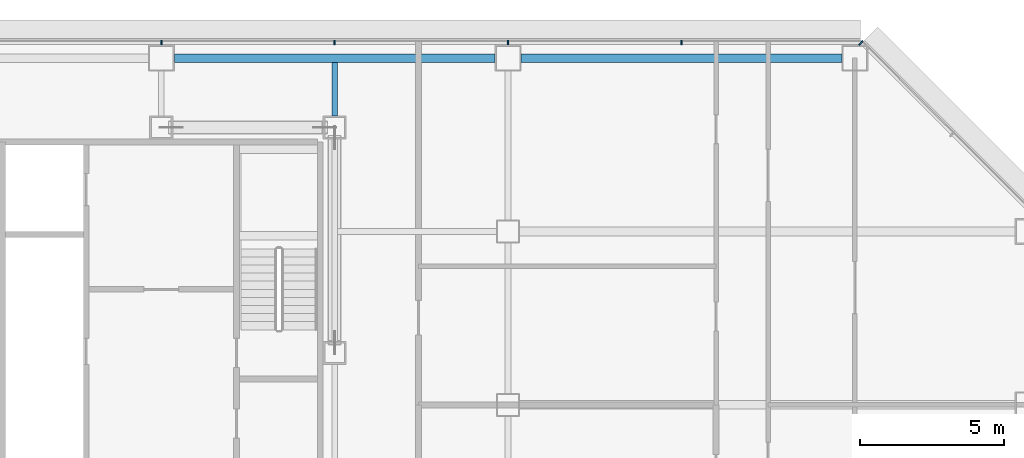
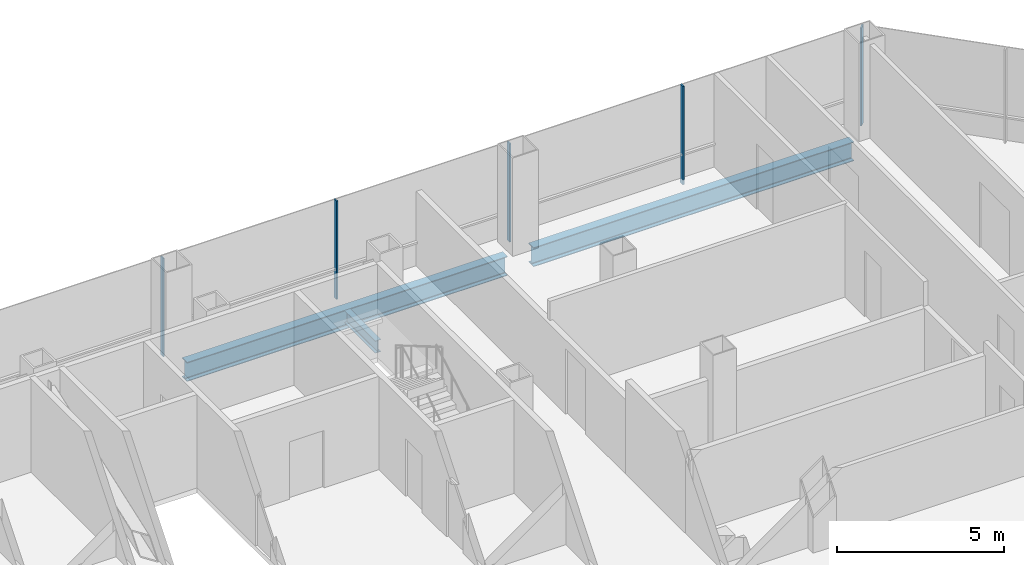
# One storey, part 15 of 27: 5 members, 3 beams, 2 elements without a shape of their own.
"""IFC4 building model written with IfcOpenShell, lengths in metres."""

import ifcopenshell
import ifcopenshell.guid

model = None  # the IFC model being written
_history = None  # IfcOwnerHistory: only IFC2X3 demands one
_inside = {}  # id of a spatial element -> (the spatial element, [elements in it])
_under = {}  # id of a project, library or spatial element -> (it, [spatial elements below it])
_declared = {}  # id of a project -> (the project, [libraries it declares])
_typed = {}  # id of a type object -> (the type object, [elements of that type])
_made_of = {}  # id of a material, layer set ... -> (it, [elements and type objects made of it])


def new_model(schema):
    """Start an empty IFC model of exactly this schema.

    Asked for "IFC4X3", IfcOpenShell would pick the latest addendum, in which some entities
    have other attributes; the version numbers below select the first issue.
    IFC2X3 requires an IfcOwnerHistory on every rooted entity: one is made here for all.
    """
    global model, _history
    if schema == "IFC4X3":
        model = ifcopenshell.file(schema_version=(4, 3, 0, 0))
    else:
        model = ifcopenshell.file(schema=schema)
    _inside.clear()
    _under.clear()
    _declared.clear()
    _typed.clear()
    _made_of.clear()
    _history = None
    if model.schema == "IFC2X3":
        org = make("IfcOrganization", Name="unknown")
        user = make(
            "IfcPersonAndOrganization",
            ThePerson=make("IfcPerson", FamilyName="unknown"),
            TheOrganization=org,
        )
        app = make(
            "IfcApplication",
            ApplicationDeveloper=org,
            Version="unknown",
            ApplicationFullName="unknown",
            ApplicationIdentifier="unknown",
        )
        _history = make(
            "IfcOwnerHistory",
            OwningUser=user,
            OwningApplication=app,
            ChangeAction="ADDED",
            CreationDate=0,
        )
    return model


def make(cls, **values):
    """One entity of the class cls with the attributes given. An attribute that is None is left unset."""
    return model.create_entity(
        cls, **{name: value for name, value in values.items() if value is not None}
    )


def rooted(cls, **values):
    """An entity with a GlobalId (a new one), such as an element, a storey or a relation."""
    return make(cls, GlobalId=ifcopenshell.guid.new(), OwnerHistory=_history, **values)


def si_unit(unit_type, name, prefix=None):
    """IfcSIUnit, for example si_unit("LENGTHUNIT", "METRE", prefix="MILLI")."""
    return make("IfcSIUnit", UnitType=unit_type, Prefix=prefix, Name=name)


def assignment(units):
    """IfcUnitAssignment: the units of a project."""
    return None if units is None else make("IfcUnitAssignment", Units=units)


def point(xyz):
    """IfcCartesianPoint."""
    return None if xyz is None else make("IfcCartesianPoint", Coordinates=xyz)


def direction(xyz):
    """IfcDirection."""
    return None if xyz is None else make("IfcDirection", DirectionRatios=xyz)


def frame(location, z_axis=None, x_axis=None):
    """IfcAxis2Placement3D, a coordinate frame: its origin and axes. An axis left out is left unset."""
    return make(
        "IfcAxis2Placement3D",
        Location=point(location),
        Axis=direction(z_axis),
        RefDirection=direction(x_axis),
    )


def frame_2d(location, x_axis=None):
    """IfcAxis2Placement2D, a coordinate frame in the plane: its origin and x axis."""
    return make(
        "IfcAxis2Placement2D", Location=point(location), RefDirection=direction(x_axis)
    )


def origin():
    """The frame at (0, 0, 0) with its axes left unset."""
    return frame((0.0, 0.0, 0.0))


def origin_2d():
    """The frame at (0, 0) in the plane with its x axis left unset."""
    return frame_2d((0.0, 0.0))


def place(relative_to, where):
    """IfcLocalPlacement: puts the frame where relative to a parent placement (None: the world)."""
    return make(
        "IfcLocalPlacement", PlacementRelTo=relative_to, RelativePlacement=where
    )


def context(
    kind, dimensions, precision=None, world=None, true_north=None, identifier=None
):
    """IfcGeometricRepresentationContext, for example the 3D "Model" context."""
    return make(
        "IfcGeometricRepresentationContext",
        ContextIdentifier=identifier,
        ContextType=kind,
        CoordinateSpaceDimension=dimensions,
        Precision=precision,
        WorldCoordinateSystem=world,
        TrueNorth=true_north,
    )


def subcontext(parent, identifier, kind, view, scale=None):
    """IfcGeometricRepresentationSubContext, for example "Body" below "Model"."""
    return make(
        "IfcGeometricRepresentationSubContext",
        ContextIdentifier=identifier,
        ContextType=kind,
        ParentContext=parent,
        TargetScale=scale,
        TargetView=view,
    )


def project(units=None, contexts=None):
    """IfcProject with its units and contexts."""
    return rooted(
        "IfcProject",
        Name="project",
        RepresentationContexts=contexts,
        UnitsInContext=assignment(units),
    )


def spatial(cls, under=None, at=None, **own):
    """A site, building, storey or space (cls), placed at a placement, below another one or the project."""
    s = rooted(cls, ObjectPlacement=at, **own)
    if under is not None:
        _under.setdefault(under.id(), (under, []))[1].append(s)
    return s


def profile(cls, at=None, kind="AREA", **sizes):
    """A parametric profile (cls). Its sizes go by their IFC names, for example OverallWidth=200.0."""
    return make(cls, ProfileType=kind, Position=at, **sizes)


def rectangle(**sizes):
    """IfcRectangleProfileDef."""
    return profile("IfcRectangleProfileDef", **sizes)


def i_section(**sizes):
    """IfcIShapeProfileDef."""
    return profile("IfcIShapeProfileDef", **sizes)


def extrude(swept, where, along, depth):
    """IfcExtrudedAreaSolid: the profile swept, set in the frame where, extruded along a direction by depth."""
    return make(
        "IfcExtrudedAreaSolid",
        SweptArea=swept,
        Position=where,
        ExtrudedDirection=direction(along),
        Depth=depth,
    )


def shape(context_of_items, identifier, shape_type, items):
    """IfcShapeRepresentation: the items that make up one representation, for example the "Body"."""
    return make(
        "IfcShapeRepresentation",
        ContextOfItems=context_of_items,
        RepresentationIdentifier=identifier,
        RepresentationType=shape_type,
        Items=items,
    )


def material(Name=None, Category=None):
    """IfcMaterial."""
    return make("IfcMaterial", Name=Name, Category=Category)


def material_profile(
    of_material, cross_section, Name=None, Category=None, Priority=None
):
    """IfcMaterialProfile: a cross section and its material."""
    return make(
        "IfcMaterialProfile",
        Name=Name,
        Material=of_material,
        Profile=cross_section,
        Priority=Priority,
        Category=Category,
    )


def profile_set(profiles, Name=None, composite=None):
    """IfcMaterialProfileSet."""
    return make(
        "IfcMaterialProfileSet",
        Name=Name,
        MaterialProfiles=profiles,
        CompositeProfile=composite,
    )


def made_of(thing, what):
    """Note that an element or type object is made of a material, layer set ...; save() writes the relation."""
    if what is not None:
        _made_of.setdefault(what.id(), (what, []))[1].append(thing)
    return thing


def type_object(cls, material=None, **own):
    """A type object (cls), such as IfcWallType, which elements share."""
    return made_of(rooted(cls, **own), material)


def element(
    cls,
    number,
    at=None,
    inside=None,
    cuts=None,
    type_object=None,
    material=None,
    context=None,
    identifier="Body",
    shape_type=None,
    held_by="IfcProductDefinitionShape",
    body=None,
    shapes=None,
    **own,
):
    """One element of the class cls, such as IfcWall. Its Tag is "e" and its number.

    at: its placement. inside: the storey or other place that contains it. cuts: it is an
    opening in that element (IfcRelVoidsElement). A single representation is given by context,
    identifier, shape_type and body (its items); several are given by shapes. held_by: the class
    of the entity that holds the representations. save() writes the other relations.
    """
    e = rooted(cls, Tag="e%d" % number, ObjectPlacement=at, **own)
    if body is not None:
        shapes = [shape(context, identifier, shape_type, body)]
    if shapes is not None:
        e.Representation = make(held_by, Representations=shapes)
    if inside is not None:
        _inside.setdefault(inside.id(), (inside, []))[1].append(e)
    if cuts is not None:
        rooted(
            "IfcRelVoidsElement", RelatingBuildingElement=cuts, RelatedOpeningElement=e
        )
    if type_object is not None:
        _typed.setdefault(type_object.id(), (type_object, []))[1].append(e)
    return made_of(e, material)


def aggregate(whole, parts):
    """IfcRelAggregates: a whole, such as a stair, and the parts it consists of."""
    return rooted("IfcRelAggregates", RelatingObject=whole, RelatedObjects=parts)


def save(model, path):
    """Write the relations noted so far, then the file.

    IfcRelAggregates (storeys below a building ...), IfcRelContainedInSpatialStructure (elements
    in a storey), IfcRelDefinesByType, IfcRelAssociatesMaterial and IfcRelDeclares: one each for
    every whole, place, type object, material and project.
    """
    for whole, parts in _under.values():
        aggregate(whole, parts)
    for where, things in _inside.values():
        rooted(
            "IfcRelContainedInSpatialStructure",
            RelatedElements=things,
            RelatingStructure=where,
        )
    for kind, things in _typed.values():
        rooted("IfcRelDefinesByType", RelatedObjects=things, RelatingType=kind)
    for what, things in _made_of.values():
        rooted("IfcRelAssociatesMaterial", RelatedObjects=things, RelatingMaterial=what)
    for by, libraries in _declared.values():
        rooted("IfcRelDeclares", RelatingContext=by, RelatedDefinitions=libraries)
    model.write(path)


model = new_model("IFC4")

# Units and contexts
model_context = context("Model", 3, precision=1e-05, world=origin(), true_north=direction((0.0, 1.0)))
body_context = subcontext(model_context, "Body", "Model", "MODEL_VIEW")
ifc_project = project(units=[si_unit("LENGTHUNIT", "METRE"), si_unit("AREAUNIT", "SQUARE_METRE"), si_unit("VOLUMEUNIT", "CUBIC_METRE"), si_unit("PLANEANGLEUNIT", "RADIAN"), si_unit("MASSUNIT", "GRAM", prefix="KILO")], contexts=[model_context])

# Site, building, storey
site_placement = place(None, origin())
site = spatial("IfcSite", under=ifc_project, at=site_placement, CompositionType="ELEMENT")
building_placement = place(site_placement, origin())
building = spatial("IfcBuilding", under=site, at=building_placement, Name="Sorahane Residences", CompositionType="ELEMENT")
storey_placement = place(building_placement, frame((0.0, 0.0, 78.60009765625)))
storey = spatial("IfcBuildingStorey", under=building, at=storey_placement, Name="L16", CompositionType="ELEMENT", Elevation=78.60009765625)

# Curtain wall, members
ifc_material_1 = material(Name="Dark low-e glass and black anodised aluminium", Category="aluminium")
curtain_wall_type_1 = type_object("IfcCurtainWallType", Name="Curtain wall CW-1 Typical unitised wall", PredefinedType="NOTDEFINED", material=ifc_material_1)
curtain_wall_1_placement = place(storey_placement, origin())
curtain_wall_1 = element("IfcCurtainWall", 1, at=curtain_wall_1_placement, inside=storey, type_object=curtain_wall_type_1, Name="CW-1 curtain wall L16 N1", PredefinedType="NOTDEFINED")
ifc_material_2 = material(Name="Black anodised aluminium", Category="aluminium")
ifc_material_profile_1 = material_profile(ifc_material_2, rectangle(XDim=0.159912109375, YDim=0.050048828125, at=origin_2d()), Name="Curtain wall mullion CW-1 black anodised aluminium 50x160")
ifc_profile_set_1 = profile_set([ifc_material_profile_1], Name="Black anodised aluminium")
member_type_1 = type_object("IfcMemberType", Name="Curtain wall mullion CW-1 black anodised aluminium 50x160", PredefinedType="MULLION", material=ifc_profile_set_1)
member_1_placement = place(storey_placement, frame((54.0, 48.5400390625, -0.18017578125), z_axis=(0.0, 0.0, 1.0), x_axis=(0.0, 1.0, 0.0)))
member_1 = element("IfcMember", 2, at=member_1_placement, type_object=member_type_1, Name="CW-1 mullion L16 N1.2", PredefinedType="MULLION", context=body_context, shape_type="SweptSolid", body=[
    extrude(rectangle(XDim=0.159912109375, YDim=0.050048828125, at=origin_2d()), origin(), (0.0, 0.0, 1.0), 3.60009765625),
])
member_2_placement = place(storey_placement, frame((48.0, 48.5400390625, -0.18017578125), z_axis=(0.0, 0.0, 1.0), x_axis=(0.0, 1.0, 0.0)))
member_2 = element("IfcMember", 3, at=member_2_placement, type_object=member_type_1, Name="CW-1 mullion L16 N1.3", PredefinedType="MULLION", context=body_context, shape_type="SweptSolid", body=[
    extrude(rectangle(XDim=0.159912109375, YDim=0.050048828125, at=origin_2d()), origin(), (0.0, 0.0, 1.0), 3.60009765625),
])
member_3_placement = place(storey_placement, frame((42.0, 48.5400390625, -0.18017578125), z_axis=(0.0, 0.0, 1.0), x_axis=(0.0, 1.0, 0.0)))
member_3 = element("IfcMember", 4, at=member_3_placement, type_object=member_type_1, Name="CW-1 mullion L16 N1.4", PredefinedType="MULLION", context=body_context, shape_type="SweptSolid", body=[
    extrude(rectangle(XDim=0.159912109375, YDim=0.050048828125, at=origin_2d()), origin(), (0.0, 0.0, 1.0), 3.60009765625),
])
member_4_placement = place(storey_placement, frame((36.0, 48.5400390625, -0.18017578125), z_axis=(0.0, 0.0, 1.0), x_axis=(0.0, 1.0, 0.0)))
member_4 = element("IfcMember", 5, at=member_4_placement, type_object=member_type_1, Name="CW-1 mullion L16 N1.5", PredefinedType="MULLION", context=body_context, shape_type="SweptSolid", body=[
    extrude(rectangle(XDim=0.159912109375, YDim=0.050048828125, at=origin_2d()), origin(), (0.0, 0.0, 1.0), 3.60009765625),
])
aggregate(curtain_wall_1, [member_1, member_2, member_3, member_4])

# Curtain wall, member
ifc_material_3 = material(Name="Dark low-e glass and black anodised aluminium", Category="aluminium")
curtain_wall_type_2 = type_object("IfcCurtainWallType", Name="Curtain wall CW-2 Chamfer unitised wall", PredefinedType="NOTDEFINED", material=ifc_material_3)
curtain_wall_2_placement = place(storey_placement, origin())
curtain_wall_2 = element("IfcCurtainWall", 6, at=curtain_wall_2_placement, inside=storey, type_object=curtain_wall_type_2, Name="CW-2 curtain wall L16 NE1", PredefinedType="NOTDEFINED")
ifc_material_4 = material(Name="Black anodised aluminium", Category="aluminium")
ifc_material_profile_2 = material_profile(ifc_material_4, rectangle(XDim=0.199951171875, YDim=0.050048828125, at=origin_2d()), Name="Curtain wall mullion CW-2 black anodised aluminium 50x200")
ifc_profile_set_2 = profile_set([ifc_material_profile_2], Name="Black anodised aluminium")
member_type_2 = type_object("IfcMemberType", Name="Curtain wall mullion CW-2 black anodised aluminium 50x200", PredefinedType="MULLION", material=ifc_profile_set_2)
member_5_placement = place(storey_placement, frame((60.209716796875, 48.525634765625, -0.18017578125), z_axis=(0.0, 0.0, 1.0), x_axis=(0.707106781187, 0.707106781187, 0.0)))
member_5 = element("IfcMember", 7, at=member_5_placement, type_object=member_type_2, Name="CW-2 mullion L16 NE1.3", PredefinedType="MULLION", context=body_context, shape_type="SweptSolid", body=[
    extrude(rectangle(XDim=0.199951171875, YDim=0.050048828125, at=origin_2d()), origin(), (0.0, 0.0, 1.0), 3.60009765625),
])
aggregate(curtain_wall_2, [member_5])

# Beams
ifc_material_5 = material(Name="Steel Q355B", Category="steel")
ifc_material_profile_3 = material_profile(ifc_material_5, i_section(OverallWidth=0.199951171875, OverallDepth=0.449951171875, WebThickness=0.009033203125, FlangeThickness=0.013916015625, FilletRadius=0.02001953125, at=origin_2d()), Name="HN 450x200x9x14")
ifc_profile_set_3 = profile_set([ifc_material_profile_3], Name="Steel Q355B")
beam_type_1 = type_object("IfcBeamType", Name="Steel floor beam HN 450x200x9x14 Q355B", PredefinedType="BEAM", material=ifc_profile_set_3)
beam_placement = place(storey_placement, frame((42.0, 46.0, -0.405029296875), z_axis=(0.0, 1.0, 0.0), x_axis=(-1.0, 0.0, 0.0)))
element("IfcBeam", 8, at=beam_placement, inside=storey, type_object=beam_type_1, Name="Beam L16 050", PredefinedType="BEAM", context=body_context, shape_type="SweptSolid", body=[
    extrude(i_section(OverallWidth=0.199951171875, OverallDepth=0.449951171875, WebThickness=0.009033203125, FlangeThickness=0.013916015625, FilletRadius=0.02001953125, at=origin_2d()), origin(), (0.0, 0.0, 1.0), 1.85009765625),
])
ifc_material_6 = material(Name="Steel Q355B", Category="steel")
ifc_material_profile_4 = material_profile(ifc_material_6, i_section(OverallWidth=0.300048828125, OverallDepth=0.699951171875, WebThickness=0.012939453125, FlangeThickness=0.02392578125, FilletRadius=0.028076171875, at=origin_2d()), Name="HN 700x300x13x24")
ifc_profile_set_4 = profile_set([ifc_material_profile_4], Name="Steel Q355B")
beam_type_2 = type_object("IfcBeamType", Name="Steel floor beam HN 700x300x13x24 Q355B", PredefinedType="BEAM", material=ifc_profile_set_4)
for number, where, z_axis, x_axis, name in (
    (9, (36.449951171875, 48.0, -0.530029296875), (1.0, 0.0, 0.0), (0.0, 1.0, 0.0), "Beam L16 015"),
    (10, (48.449951171875, 48.0, -0.530029296875), (1.0, 0.0, 0.0), (0.0, 1.0, 0.0), "Beam L16 016"),
):
    element("IfcBeam", number, at=place(storey_placement, frame(where, z_axis=z_axis, x_axis=x_axis)), inside=storey, type_object=beam_type_2, Name=name, PredefinedType="BEAM", context=body_context, shape_type="SweptSolid", body=[
        extrude(i_section(OverallWidth=0.300048828125, OverallDepth=0.699951171875, WebThickness=0.012939453125, FlangeThickness=0.02392578125, FilletRadius=0.028076171875, at=origin_2d()), origin(), (0.0, 0.0, 1.0), 11.10009765625),
    ])

save(model, "model.ifc")
